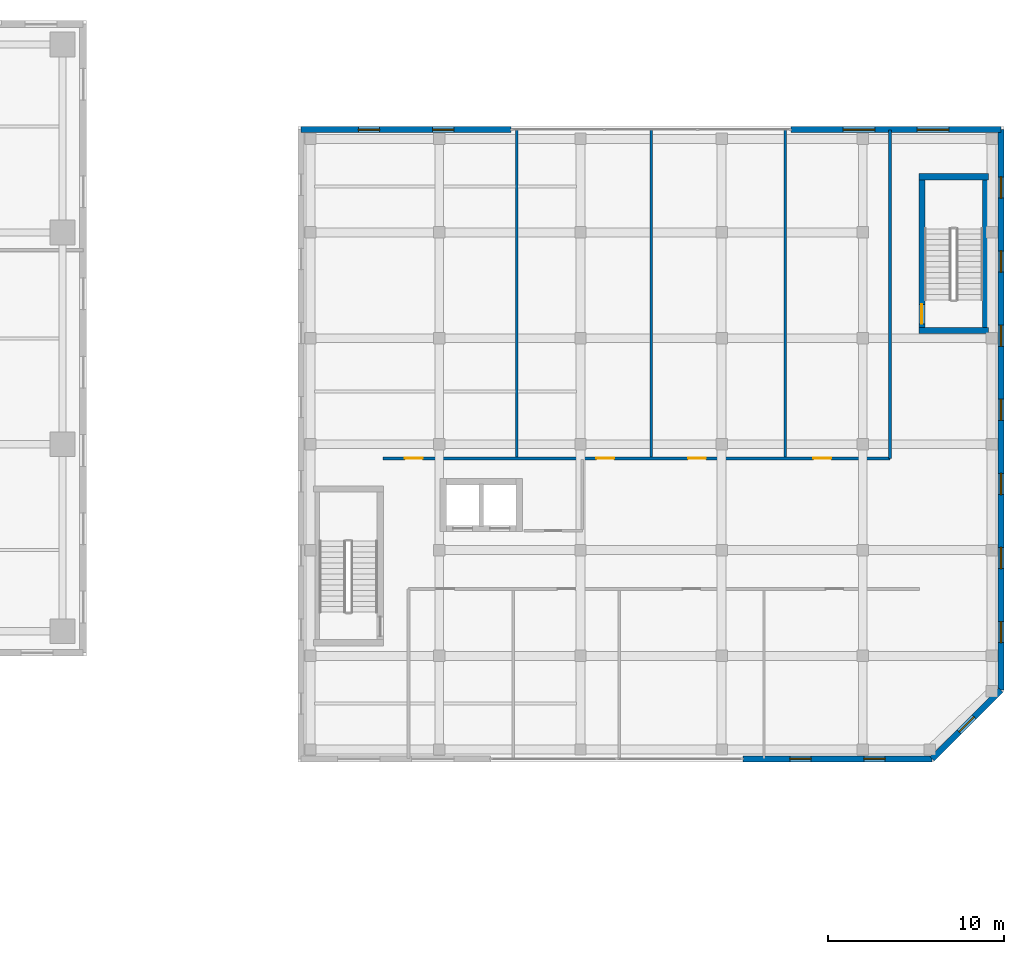
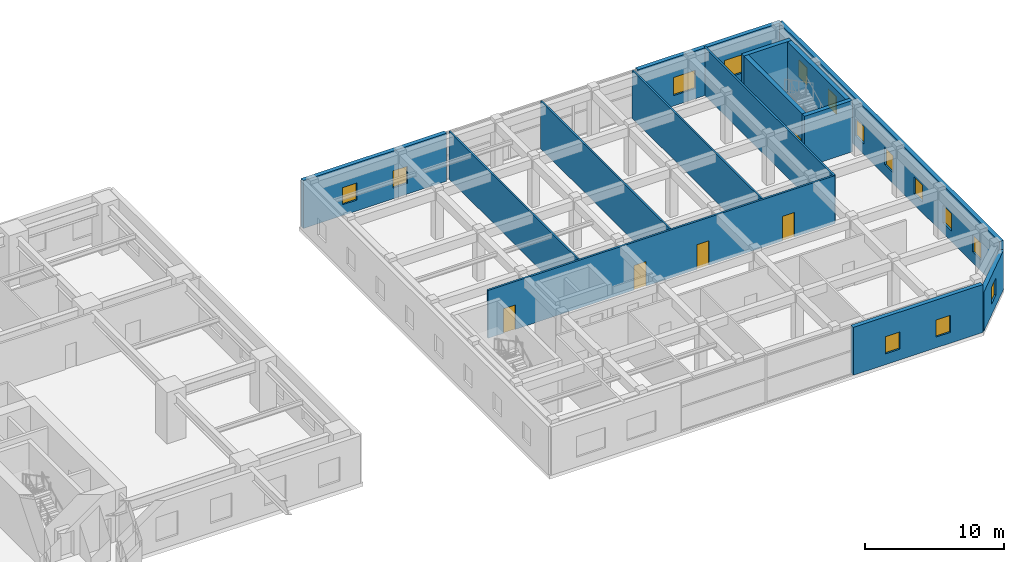
# One storey, part 22 of 26: 14 walls, 14 windows, 5 doors, 19 openings.
"""IFC4 building model written with IfcOpenShell, lengths in metres."""

from ifc_helpers import new_model, si_unit, direction, frame, frame_2d, origin, place, context, subcontext, project, spatial, rectangle, extrude, source, transform, mapped, material, layer, layer_set, type_object, element, fill, save


model = new_model("IFC4")

# Units and contexts
model_context = context("Model", 3, precision=1e-05, world=origin(), true_north=direction((0.0, 1.0)))
body_context = subcontext(model_context, "Body", "Model", "MODEL_VIEW")
ifc_project = project(units=[si_unit("LENGTHUNIT", "METRE"), si_unit("AREAUNIT", "SQUARE_METRE"), si_unit("VOLUMEUNIT", "CUBIC_METRE"), si_unit("PLANEANGLEUNIT", "RADIAN"), si_unit("MASSUNIT", "GRAM", prefix="KILO")], contexts=[model_context])

# Site, building, storey
site_placement = place(None, origin())
site = spatial("IfcSite", under=ifc_project, at=site_placement, CompositionType="ELEMENT")
building_placement = place(site_placement, origin())
building = spatial("IfcBuilding", under=site, at=building_placement, Name="Khoralis Quay Care Tower", CompositionType="ELEMENT")
storey_placement = place(building_placement, frame((0.0, 0.0, 4.5)))
storey = spatial("IfcBuildingStorey", under=building, at=storey_placement, Name="L01", CompositionType="ELEMENT", Elevation=4.5)

# Wall, openings, doors
ifc_material_1 = material(Name="Gypsum plasterboard on acoustic metal stud")
ifc_layer_1 = layer(ifc_material_1, 0.1650390625)
ifc_layer_set_1 = layer_set([ifc_layer_1], Name="Gypsum plasterboard on acoustic metal stud")
wall_type_1 = type_object("IfcWallType", Name="WL-CORR-165", PredefinedType="PARTITIONING", material=ifc_layer_set_1)
wall_1_placement = place(storey_placement, frame((72.800048828125, 23.199951171875, 0.0), z_axis=(0.0, 0.0, 1.0), x_axis=(1.0, 0.0, 0.0)))
wall_1 = element("IfcWall", 1, at=wall_1_placement, inside=storey, type_object=wall_type_1, Name="L01 School Corridor North Wall", PredefinedType="PARTITIONING", context=body_context, shape_type="SweptSolid", body=[
    extrude(rectangle(XDim=28.75, YDim=0.1650390625, at=frame_2d((14.375, 0.0))), origin(), (0.0, 0.0, 1.0), 4.199951171875),
])
opening_1_placement = place(wall_1_placement, frame((1.25, 0.0, 0.0)))
opening_1 = element("IfcOpeningElement", 2, at=opening_1_placement, cuts=wall_1, Name="Opening SCD1", PredefinedType="OPENING", context=body_context, shape_type="SweptSolid", body=[
    extrude(rectangle(XDim=1.0, YDim=2.14990234375, at=frame_2d((0.5, 1.074951171875))), frame((0.0, 0.092529296875, 0.0), z_axis=(0.0, -1.0, 0.0), x_axis=(1.0, 0.0, 0.0)), (0.0, 0.0, 1.0), 0.18505859375),
])
opening_2_placement = place(wall_1_placement, frame((12.10009765625, 0.0, 0.0)))
opening_2 = element("IfcOpeningElement", 3, at=opening_2_placement, cuts=wall_1, Name="Opening SCD1", PredefinedType="OPENING", context=body_context, shape_type="SweptSolid", body=[
    extrude(rectangle(XDim=1.0, YDim=2.14990234375, at=frame_2d((0.5, 1.074951171875))), frame((0.0, 0.092529296875, 0.0), z_axis=(0.0, -1.0, 0.0), x_axis=(1.0, 0.0, 0.0)), (0.0, 0.0, 1.0), 0.18505859375),
])
opening_3_placement = place(wall_1_placement, frame((17.300048828125, 0.0, 0.0)))
opening_3 = element("IfcOpeningElement", 4, at=opening_3_placement, cuts=wall_1, Name="Opening SCD1", PredefinedType="OPENING", context=body_context, shape_type="SweptSolid", body=[
    extrude(rectangle(XDim=1.0, YDim=2.14990234375, at=frame_2d((0.5, 1.074951171875))), frame((0.0, 0.092529296875, 0.0), z_axis=(0.0, -1.0, 0.0), x_axis=(1.0, 0.0, 0.0)), (0.0, 0.0, 1.0), 0.18505859375),
])
opening_4_placement = place(wall_1_placement, frame((24.39990234375, 0.0, 0.0)))
opening_4 = element("IfcOpeningElement", 5, at=opening_4_placement, cuts=wall_1, Name="Opening SCD1", PredefinedType="OPENING", context=body_context, shape_type="SweptSolid", body=[
    extrude(rectangle(XDim=1.0, YDim=2.14990234375, at=frame_2d((0.5, 1.074951171875))), frame((0.0, 0.092529296875, 0.0), z_axis=(0.0, -1.0, 0.0), x_axis=(1.0, 0.0, 0.0)), (0.0, 0.0, 1.0), 0.18505859375),
])
ifc_material_2 = material(Name="Acoustic hardwood timber", Category="wood")
door_type_1 = type_object("IfcDoorType", Name="DR-SCH-1000X2150", OperationType="NOTDEFINED", PredefinedType="DOOR", material=ifc_material_2)
shared_shape_1 = source(origin(), body_context, "Body", "SweptSolid", [
    extrude(rectangle(XDim=1.0, YDim=2.14990234375, at=frame_2d((0.5, 1.074951171875))), frame((0.0, 0.02490234375, 0.0), z_axis=(0.0, -1.0, 0.0), x_axis=(1.0, 0.0, 0.0)), (0.0, 0.0, 1.0), 0.050048828125),
])
door_1_placement = place(opening_1_placement, origin())
door_1 = element("IfcDoor", 6, at=door_1_placement, inside=storey, type_object=door_type_1, Name="L01 Secondary Classroom Door", OperationType="SINGLE_SWING_RIGHT", OverallHeight=2.14990234375, OverallWidth=1.0, PredefinedType="DOOR", context=body_context, shape_type="MappedRepresentation", body=[
    mapped(shared_shape_1, transform((0.0, 0.0, 0.0), scale=1.0)),
])
fill(opening_1, door_1)
door_2_placement = place(opening_2_placement, origin())
door_2 = element("IfcDoor", 7, at=door_2_placement, inside=storey, type_object=door_type_1, Name="L01 Faculty Preparation Office Door", OperationType="SINGLE_SWING_LEFT", OverallHeight=2.14990234375, OverallWidth=1.0, PredefinedType="DOOR", context=body_context, shape_type="MappedRepresentation", body=[
    mapped(shared_shape_1, transform((0.0, 0.0, 0.0), scale=1.0)),
])
fill(opening_2, door_2)
door_3_placement = place(opening_3_placement, origin())
door_3 = element("IfcDoor", 8, at=door_3_placement, inside=storey, type_object=door_type_1, Name="L01 Robotics Laboratory Door", OperationType="SINGLE_SWING_RIGHT", OverallHeight=2.14990234375, OverallWidth=1.0, PredefinedType="DOOR", context=body_context, shape_type="MappedRepresentation", body=[
    mapped(shared_shape_1, transform((0.0, 0.0, 0.0), scale=1.0)),
])
fill(opening_3, door_3)
door_4_placement = place(opening_4_placement, origin())
door_4 = element("IfcDoor", 9, at=door_4_placement, inside=storey, type_object=door_type_1, Name="L01 Academy Library Reading Room Door", OperationType="SINGLE_SWING_LEFT", OverallHeight=2.14990234375, OverallWidth=1.0, PredefinedType="DOOR", context=body_context, shape_type="MappedRepresentation", body=[
    mapped(shared_shape_1, transform((0.0, 0.0, 0.0), scale=1.0)),
])
fill(opening_4, door_4)

# Wall
wall_2_placement = place(storey_placement, frame((101.550048828125, 23.199951171875, 0.0), z_axis=(0.0, 0.0, 1.0), x_axis=(0.0, 1.0, 0.0)))
element("IfcWall", 10, at=wall_2_placement, inside=storey, type_object=wall_type_1, Name="L01 School East Stair Corridor Wall", PredefinedType="PARTITIONING", context=body_context, shape_type="SweptSolid", body=[
    extrude(rectangle(XDim=18.614990234375, YDim=0.1650390625, at=frame_2d((9.3076171875, 0.0))), origin(), (0.0, 0.0, 1.0), 4.199951171875),
])

# Wall, openings, windows
ifc_material_3 = material(Name="Precast concrete C40/50", Category="concrete")
ifc_layer_2 = layer(ifc_material_3, 0.340087890625)
ifc_layer_set_2 = layer_set([ifc_layer_2], Name="Precast concrete C40/50")
wall_type_2 = type_object("IfcWallType", Name="WL-EXT-SCH-340", PredefinedType="SOLIDWALL", material=ifc_layer_set_2)
wall_3_placement = place(storey_placement, frame((93.201904296875, 6.169921875, 0.0), z_axis=(0.0, 0.0, 1.0), x_axis=(1.0, 0.0, 0.0)))
wall_3 = element("IfcWall", 11, at=wall_3_placement, inside=storey, type_object=wall_type_2, Name="L01 External Facade Wall WL-SCH-L01-E0B", PredefinedType="SOLIDWALL", context=body_context, shape_type="SweptSolid", body=[
    extrude(rectangle(XDim=10.727783203125, YDim=0.340087890625, at=frame_2d((5.36376953125, 0.0))), origin(), (0.0, 0.0, 1.0), 4.199951171875),
])
opening_5_placement = place(wall_3_placement, frame((2.663818359375, 0.0, 0.949951171875)))
opening_5 = element("IfcOpeningElement", 12, at=opening_5_placement, cuts=wall_3, Name="Opening W6", PredefinedType="OPENING", context=body_context, shape_type="SweptSolid", body=[
    extrude(rectangle(XDim=1.199951171875, YDim=1.5, at=frame_2d((0.60009765625, 0.75))), frame((0.0, 0.18017578125, 0.0), z_axis=(0.0, -1.0, 0.0), x_axis=(1.0, 0.0, 0.0)), (0.0, 0.0, 1.0), 0.360107421875),
])
opening_6_placement = place(wall_3_placement, frame((6.86376953125, 0.0, 0.949951171875)))
opening_6 = element("IfcOpeningElement", 13, at=opening_6_placement, cuts=wall_3, Name="Opening W6", PredefinedType="OPENING", context=body_context, shape_type="SweptSolid", body=[
    extrude(rectangle(XDim=1.199951171875, YDim=1.5, at=frame_2d((0.60009765625, 0.75))), frame((0.0, 0.18017578125, 0.0), z_axis=(0.0, -1.0, 0.0), x_axis=(1.0, 0.0, 0.0)), (0.0, 0.0, 1.0), 0.360107421875),
])
ifc_material_4 = material(Name="Low-E solar-control double glazing", Category="glass")
window_type_1 = type_object("IfcWindowType", Name="WN-SCH-1200X1500", PartitioningType="SINGLE_PANEL", PredefinedType="WINDOW", material=ifc_material_4)
shared_shape_2 = source(origin(), body_context, "Body", "SweptSolid", [
    extrude(rectangle(XDim=1.199951171875, YDim=1.5, at=frame_2d((0.60009765625, 0.75))), frame((0.0, 0.030029296875, 0.0), z_axis=(0.0, -1.0, 0.0), x_axis=(1.0, 0.0, 0.0)), (0.0, 0.0, 1.0), 0.06005859375),
])
window_1_placement = place(opening_5_placement, origin())
window_1 = element("IfcWindow", 14, at=window_1_placement, inside=storey, type_object=window_type_1, Name="WN-SCH-L01-0B Classroom Window 01", OverallHeight=1.5, OverallWidth=1.199951171875, PartitioningType="SINGLE_PANEL", PredefinedType="WINDOW", context=body_context, shape_type="MappedRepresentation", body=[
    mapped(shared_shape_2, transform((0.0, 0.0, 0.0), scale=1.0)),
])
fill(opening_5, window_1)
window_2_placement = place(opening_6_placement, origin())
window_2 = element("IfcWindow", 15, at=window_2_placement, inside=storey, type_object=window_type_1, Name="WN-SCH-L01-0B Classroom Window 02", OverallHeight=1.5, OverallWidth=1.199951171875, PartitioningType="SINGLE_PANEL", PredefinedType="WINDOW", context=body_context, shape_type="MappedRepresentation", body=[
    mapped(shared_shape_2, transform((0.0, 0.0, 0.0), scale=1.0)),
])
fill(opening_6, window_2)

# Wall, opening, window
wall_4_placement = place(storey_placement, frame((103.9296875, 6.169921875, 0.0), z_axis=(0.0, 0.0, 1.0), x_axis=(0.707106781187, 0.707106781187, 0.0)))
wall_4 = element("IfcWall", 16, at=wall_4_placement, inside=storey, type_object=wall_type_2, Name="L01 External Facade Wall WL-SCH-L01-E1", PredefinedType="SOLIDWALL", context=body_context, shape_type="SweptSolid", body=[
    extrude(rectangle(XDim=5.515869140625, YDim=0.340087890625, at=frame_2d((2.7578125, 0.0))), origin(), (0.0, 0.0, 1.0), 3.449951171875),
])
opening_7_placement = place(wall_4_placement, frame((2.157958984375, 0.0, 0.949951171875)))
opening_7 = element("IfcOpeningElement", 17, at=opening_7_placement, cuts=wall_4, Name="Opening W6", PredefinedType="OPENING", context=body_context, shape_type="SweptSolid", body=[
    extrude(rectangle(XDim=1.199951171875, YDim=1.5, at=frame_2d((0.60009765625, 0.75))), frame((0.0, 0.18017578125, 0.0), z_axis=(0.0, -1.0, 0.0), x_axis=(1.0, 0.0, 0.0)), (0.0, 0.0, 1.0), 0.360107421875),
])
window_3_placement = place(opening_7_placement, origin())
window_3 = element("IfcWindow", 18, at=window_3_placement, inside=storey, type_object=window_type_1, Name="WN-SCH-L01-E1 Classroom Window 01", OverallHeight=1.5, OverallWidth=1.199951171875, PartitioningType="SINGLE_PANEL", PredefinedType="WINDOW", context=body_context, shape_type="MappedRepresentation", body=[
    mapped(shared_shape_2, transform((0.0, 0.0, 0.0), scale=1.0)),
])
fill(opening_7, window_3)

# Wall, openings, windows
wall_5_placement = place(storey_placement, frame((107.830078125, 10.0703125, 0.0), z_axis=(0.0, 0.0, 1.0), x_axis=(0.0, 1.0, 0.0)))
wall_5 = element("IfcWall", 19, at=wall_5_placement, inside=storey, type_object=wall_type_2, Name="L01 External Facade Wall WL-SCH-L01-E2", PredefinedType="SOLIDWALL", context=body_context, shape_type="SweptSolid", body=[
    extrude(rectangle(XDim=31.759765625, YDim=0.340087890625, at=frame_2d((15.8798828125, 0.0))), origin(), (0.0, 0.0, 1.0), 4.199951171875),
])
opening_8_placement = place(wall_5_placement, frame((2.6796875, 0.0, 0.949951171875)))
opening_8 = element("IfcOpeningElement", 20, at=opening_8_placement, cuts=wall_5, Name="Opening W6", PredefinedType="OPENING", context=body_context, shape_type="SweptSolid", body=[
    extrude(rectangle(XDim=1.199951171875, YDim=1.5, at=frame_2d((0.60009765625, 0.75))), frame((0.0, 0.18017578125, 0.0), z_axis=(0.0, -1.0, 0.0), x_axis=(1.0, 0.0, 0.0)), (0.0, 0.0, 1.0), 0.360107421875),
])
opening_9_placement = place(wall_5_placement, frame((6.8798828125, 0.0, 0.949951171875)))
opening_9 = element("IfcOpeningElement", 21, at=opening_9_placement, cuts=wall_5, Name="Opening W6", PredefinedType="OPENING", context=body_context, shape_type="SweptSolid", body=[
    extrude(rectangle(XDim=1.199951171875, YDim=1.5, at=frame_2d((0.60009765625, 0.75))), frame((0.0, 0.18017578125, 0.0), z_axis=(0.0, -1.0, 0.0), x_axis=(1.0, 0.0, 0.0)), (0.0, 0.0, 1.0), 0.360107421875),
])
opening_10_placement = place(wall_5_placement, frame((11.079833984375, 0.0, 0.949951171875)))
opening_10 = element("IfcOpeningElement", 22, at=opening_10_placement, cuts=wall_5, Name="Opening W6", PredefinedType="OPENING", context=body_context, shape_type="SweptSolid", body=[
    extrude(rectangle(XDim=1.199951171875, YDim=1.5, at=frame_2d((0.60009765625, 0.75))), frame((0.0, 0.18017578125, 0.0), z_axis=(0.0, -1.0, 0.0), x_axis=(1.0, 0.0, 0.0)), (0.0, 0.0, 1.0), 0.360107421875),
])
opening_11_placement = place(wall_5_placement, frame((15.27978515625, 0.0, 0.949951171875)))
opening_11 = element("IfcOpeningElement", 23, at=opening_11_placement, cuts=wall_5, Name="Opening W6", PredefinedType="OPENING", context=body_context, shape_type="SweptSolid", body=[
    extrude(rectangle(XDim=1.199951171875, YDim=1.5, at=frame_2d((0.60009765625, 0.75))), frame((0.0, 0.18017578125, 0.0), z_axis=(0.0, -1.0, 0.0), x_axis=(1.0, 0.0, 0.0)), (0.0, 0.0, 1.0), 0.360107421875),
])
opening_12_placement = place(wall_5_placement, frame((19.479736328125, 0.0, 0.949951171875)))
opening_12 = element("IfcOpeningElement", 24, at=opening_12_placement, cuts=wall_5, Name="Opening W6", PredefinedType="OPENING", context=body_context, shape_type="SweptSolid", body=[
    extrude(rectangle(XDim=1.199951171875, YDim=1.5, at=frame_2d((0.60009765625, 0.75))), frame((0.0, 0.18017578125, 0.0), z_axis=(0.0, -1.0, 0.0), x_axis=(1.0, 0.0, 0.0)), (0.0, 0.0, 1.0), 0.360107421875),
])
opening_13_placement = place(wall_5_placement, frame((23.6796875, 0.0, 0.949951171875)))
opening_13 = element("IfcOpeningElement", 25, at=opening_13_placement, cuts=wall_5, Name="Opening W6", PredefinedType="OPENING", context=body_context, shape_type="SweptSolid", body=[
    extrude(rectangle(XDim=1.199951171875, YDim=1.5, at=frame_2d((0.60009765625, 0.75))), frame((0.0, 0.18017578125, 0.0), z_axis=(0.0, -1.0, 0.0), x_axis=(1.0, 0.0, 0.0)), (0.0, 0.0, 1.0), 0.360107421875),
])
opening_14_placement = place(wall_5_placement, frame((27.8798828125, 0.0, 0.949951171875)))
opening_14 = element("IfcOpeningElement", 26, at=opening_14_placement, cuts=wall_5, Name="Opening W6", PredefinedType="OPENING", context=body_context, shape_type="SweptSolid", body=[
    extrude(rectangle(XDim=1.199951171875, YDim=1.5, at=frame_2d((0.60009765625, 0.75))), frame((0.0, 0.18017578125, 0.0), z_axis=(0.0, -1.0, 0.0), x_axis=(1.0, 0.0, 0.0)), (0.0, 0.0, 1.0), 0.360107421875),
])
window_4_placement = place(opening_8_placement, origin())
window_4 = element("IfcWindow", 27, at=window_4_placement, inside=storey, type_object=window_type_1, Name="WN-SCH-L01-E2 Classroom Window 01", OverallHeight=1.5, OverallWidth=1.199951171875, PartitioningType="SINGLE_PANEL", PredefinedType="WINDOW", context=body_context, shape_type="MappedRepresentation", body=[
    mapped(shared_shape_2, transform((0.0, 0.0, 0.0), scale=1.0)),
])
fill(opening_8, window_4)
window_5_placement = place(opening_9_placement, origin())
window_5 = element("IfcWindow", 28, at=window_5_placement, inside=storey, type_object=window_type_1, Name="WN-SCH-L01-E2 Classroom Window 02", OverallHeight=1.5, OverallWidth=1.199951171875, PartitioningType="SINGLE_PANEL", PredefinedType="WINDOW", context=body_context, shape_type="MappedRepresentation", body=[
    mapped(shared_shape_2, transform((0.0, 0.0, 0.0), scale=1.0)),
])
fill(opening_9, window_5)
window_6_placement = place(opening_10_placement, origin())
window_6 = element("IfcWindow", 29, at=window_6_placement, inside=storey, type_object=window_type_1, Name="WN-SCH-L01-E2 Classroom Window 03", OverallHeight=1.5, OverallWidth=1.199951171875, PartitioningType="SINGLE_PANEL", PredefinedType="WINDOW", context=body_context, shape_type="MappedRepresentation", body=[
    mapped(shared_shape_2, transform((0.0, 0.0, 0.0), scale=1.0)),
])
fill(opening_10, window_6)
window_7_placement = place(opening_11_placement, origin())
window_7 = element("IfcWindow", 30, at=window_7_placement, inside=storey, type_object=window_type_1, Name="WN-SCH-L01-E2 Classroom Window 04", OverallHeight=1.5, OverallWidth=1.199951171875, PartitioningType="SINGLE_PANEL", PredefinedType="WINDOW", context=body_context, shape_type="MappedRepresentation", body=[
    mapped(shared_shape_2, transform((0.0, 0.0, 0.0), scale=1.0)),
])
fill(opening_11, window_7)
window_8_placement = place(opening_12_placement, origin())
window_8 = element("IfcWindow", 31, at=window_8_placement, inside=storey, type_object=window_type_1, Name="WN-SCH-L01-E2 Classroom Window 05", OverallHeight=1.5, OverallWidth=1.199951171875, PartitioningType="SINGLE_PANEL", PredefinedType="WINDOW", context=body_context, shape_type="MappedRepresentation", body=[
    mapped(shared_shape_2, transform((0.0, 0.0, 0.0), scale=1.0)),
])
fill(opening_12, window_8)
window_9_placement = place(opening_13_placement, origin())
window_9 = element("IfcWindow", 32, at=window_9_placement, inside=storey, type_object=window_type_1, Name="WN-SCH-L01-E2 Classroom Window 06", OverallHeight=1.5, OverallWidth=1.199951171875, PartitioningType="SINGLE_PANEL", PredefinedType="WINDOW", context=body_context, shape_type="MappedRepresentation", body=[
    mapped(shared_shape_2, transform((0.0, 0.0, 0.0), scale=1.0)),
])
fill(opening_13, window_9)
window_10_placement = place(opening_14_placement, origin())
window_10 = element("IfcWindow", 33, at=window_10_placement, inside=storey, type_object=window_type_1, Name="WN-SCH-L01-E2 Classroom Window 07", OverallHeight=1.5, OverallWidth=1.199951171875, PartitioningType="SINGLE_PANEL", PredefinedType="WINDOW", context=body_context, shape_type="MappedRepresentation", body=[
    mapped(shared_shape_2, transform((0.0, 0.0, 0.0), scale=1.0)),
])
fill(opening_14, window_10)

wall_6_placement = place(storey_placement, frame((107.830078125, 41.830078125, 0.0), z_axis=(0.0, 0.0, 1.0), x_axis=(-1.0, 0.0, 0.0)))
wall_6 = element("IfcWall", 34, at=wall_6_placement, inside=storey, type_object=wall_type_2, Name="L01 External Facade Wall WL-SCH-L01-E3A", PredefinedType="SOLIDWALL", context=body_context, shape_type="SweptSolid", body=[
    extrude(rectangle(XDim=11.898193359375, YDim=0.340087890625, at=frame_2d((5.94921875, 0.0))), origin(), (0.0, 0.0, 1.0), 4.199951171875),
])
opening_15_placement = place(wall_6_placement, frame((2.948974609375, 0.0, 0.89990234375)))
opening_15 = element("IfcOpeningElement", 35, at=opening_15_placement, cuts=wall_6, Name="Opening W5", PredefinedType="OPENING", context=body_context, shape_type="SweptSolid", body=[
    extrude(rectangle(XDim=1.800048828125, YDim=1.60009765625, at=frame_2d((0.89990234375, 0.800048828125))), frame((0.0, 0.18017578125, 0.0), z_axis=(0.0, -1.0, 0.0), x_axis=(1.0, 0.0, 0.0)), (0.0, 0.0, 1.0), 0.360107421875),
])
opening_16_placement = place(wall_6_placement, frame((7.14892578125, 0.0, 0.89990234375)))
opening_16 = element("IfcOpeningElement", 36, at=opening_16_placement, cuts=wall_6, Name="Opening W5", PredefinedType="OPENING", context=body_context, shape_type="SweptSolid", body=[
    extrude(rectangle(XDim=1.800048828125, YDim=1.60009765625, at=frame_2d((0.89990234375, 0.800048828125))), frame((0.0, 0.18017578125, 0.0), z_axis=(0.0, -1.0, 0.0), x_axis=(1.0, 0.0, 0.0)), (0.0, 0.0, 1.0), 0.360107421875),
])
window_type_2 = type_object("IfcWindowType", Name="WN-SCH-1800X1600", PartitioningType="SINGLE_PANEL", PredefinedType="WINDOW", material=ifc_material_4)
shared_shape_3 = source(origin(), body_context, "Body", "SweptSolid", [
    extrude(rectangle(XDim=1.800048828125, YDim=1.60009765625, at=frame_2d((0.89990234375, 0.800048828125))), frame((0.0, 0.030029296875, 0.0), z_axis=(0.0, -1.0, 0.0), x_axis=(1.0, 0.0, 0.0)), (0.0, 0.0, 1.0), 0.06005859375),
])
window_11_placement = place(opening_15_placement, origin())
window_11 = element("IfcWindow", 37, at=window_11_placement, inside=storey, type_object=window_type_2, Name="WN-SCH-L01-3A Classroom Window 01", OverallHeight=1.60009765625, OverallWidth=1.800048828125, PartitioningType="SINGLE_PANEL", PredefinedType="WINDOW", context=body_context, shape_type="MappedRepresentation", body=[
    mapped(shared_shape_3, transform((0.0, 0.0, 0.0), scale=1.0)),
])
fill(opening_15, window_11)
window_12_placement = place(opening_16_placement, origin())
window_12 = element("IfcWindow", 38, at=window_12_placement, inside=storey, type_object=window_type_2, Name="WN-SCH-L01-3A Classroom Window 02", OverallHeight=1.60009765625, OverallWidth=1.800048828125, PartitioningType="SINGLE_PANEL", PredefinedType="WINDOW", context=body_context, shape_type="MappedRepresentation", body=[
    mapped(shared_shape_3, transform((0.0, 0.0, 0.0), scale=1.0)),
])
fill(opening_16, window_12)

wall_7_placement = place(storey_placement, frame((80.068115234375, 41.830078125, 0.0), z_axis=(0.0, 0.0, 1.0), x_axis=(-1.0, 0.0, 0.0)))
wall_7 = element("IfcWall", 39, at=wall_7_placement, inside=storey, type_object=wall_type_2, Name="L01 External Facade Wall WL-SCH-L01-E3B", PredefinedType="SOLIDWALL", context=body_context, shape_type="SweptSolid", body=[
    extrude(rectangle(XDim=11.898193359375, YDim=0.340087890625, at=frame_2d((5.94921875, 0.0))), origin(), (0.0, 0.0, 1.0), 4.199951171875),
])
opening_17_placement = place(wall_7_placement, frame((3.2490234375, 0.0, 0.949951171875)))
opening_17 = element("IfcOpeningElement", 40, at=opening_17_placement, cuts=wall_7, Name="Opening W6", PredefinedType="OPENING", context=body_context, shape_type="SweptSolid", body=[
    extrude(rectangle(XDim=1.199951171875, YDim=1.5, at=frame_2d((0.60009765625, 0.75))), frame((0.0, 0.18017578125, 0.0), z_axis=(0.0, -1.0, 0.0), x_axis=(1.0, 0.0, 0.0)), (0.0, 0.0, 1.0), 0.360107421875),
])
opening_18_placement = place(wall_7_placement, frame((7.448974609375, 0.0, 0.949951171875)))
opening_18 = element("IfcOpeningElement", 41, at=opening_18_placement, cuts=wall_7, Name="Opening W6", PredefinedType="OPENING", context=body_context, shape_type="SweptSolid", body=[
    extrude(rectangle(XDim=1.199951171875, YDim=1.5, at=frame_2d((0.60009765625, 0.75))), frame((0.0, 0.18017578125, 0.0), z_axis=(0.0, -1.0, 0.0), x_axis=(1.0, 0.0, 0.0)), (0.0, 0.0, 1.0), 0.360107421875),
])
window_13_placement = place(opening_17_placement, origin())
window_13 = element("IfcWindow", 42, at=window_13_placement, inside=storey, type_object=window_type_1, Name="WN-SCH-L01-3B Classroom Window 01", OverallHeight=1.5, OverallWidth=1.199951171875, PartitioningType="SINGLE_PANEL", PredefinedType="WINDOW", context=body_context, shape_type="MappedRepresentation", body=[
    mapped(shared_shape_2, transform((0.0, 0.0, 0.0), scale=1.0)),
])
fill(opening_17, window_13)
window_14_placement = place(opening_18_placement, origin())
window_14 = element("IfcWindow", 43, at=window_14_placement, inside=storey, type_object=window_type_1, Name="WN-SCH-L01-3B Classroom Window 02", OverallHeight=1.5, OverallWidth=1.199951171875, PartitioningType="SINGLE_PANEL", PredefinedType="WINDOW", context=body_context, shape_type="MappedRepresentation", body=[
    mapped(shared_shape_2, transform((0.0, 0.0, 0.0), scale=1.0)),
])
fill(opening_18, window_14)

# Wall, opening, door
ifc_material_5 = material(Name="Concrete C40/50", Category="concrete")
ifc_layer_3 = layer(ifc_material_5, 0.35009765625)
ifc_layer_set_3 = layer_set([ifc_layer_3], Name="Concrete C40/50")
wall_type_3 = type_object("IfcWallType", Name="WL-SC-CORE-350", PredefinedType="SHEAR", material=ifc_layer_set_3)
wall_8_placement = place(storey_placement, frame((103.344970703125, 30.27001953125, 0.0), z_axis=(0.0, 0.0, 1.0), x_axis=(0.0, 1.0, 0.0)))
wall_8 = element("IfcWall", 44, at=wall_8_placement, inside=storey, type_object=wall_type_3, Name="L01 School Stair ST-S2 West Shear Wall", PredefinedType="SHEAR", context=body_context, shape_type="SweptSolid", body=[
    extrude(rectangle(XDim=9.06005859375, YDim=0.35009765625, at=frame_2d((4.530029296875, 0.0))), origin(), (0.0, 0.0, 1.0), 4.5),
])
opening_19_placement = place(wall_8_placement, frame((0.550048828125, 0.0, 0.0)))
opening_19 = element("IfcOpeningElement", 45, at=opening_19_placement, cuts=wall_8, Name="Opening SD1", PredefinedType="OPENING", context=body_context, shape_type="SweptSolid", body=[
    extrude(rectangle(XDim=1.10009765625, YDim=2.199951171875, at=frame_2d((0.550048828125, 1.10009765625))), frame((0.0, 0.18505859375, 0.0), z_axis=(0.0, -1.0, 0.0), x_axis=(1.0, 0.0, 0.0)), (0.0, 0.0, 1.0), 0.3701171875),
])
ifc_material_6 = material(Name="Fire-rated painted steel", Category="steel")
door_type_2 = type_object("IfcDoorType", Name="DR-STAIR-1100X2200", OperationType="NOTDEFINED", PredefinedType="DOOR", material=ifc_material_6)
shared_shape_4 = source(origin(), body_context, "Body", "SweptSolid", [
    extrude(rectangle(XDim=1.10009765625, YDim=2.199951171875, at=frame_2d((0.550048828125, 1.10009765625))), frame((0.0, 0.02490234375, 0.0), z_axis=(0.0, -1.0, 0.0), x_axis=(1.0, 0.0, 0.0)), (0.0, 0.0, 1.0), 0.050048828125),
])
door_5_placement = place(opening_19_placement, frame((1.10009765625, 0.0, 0.0), z_axis=(0.0, 0.0, 1.0), x_axis=(-1.0, 0.0, 0.0)))
door_5 = element("IfcDoor", 46, at=door_5_placement, inside=storey, type_object=door_type_2, Name="L01 School Stair ST-S2 Door", OperationType="SINGLE_SWING_RIGHT", OverallHeight=2.199951171875, OverallWidth=1.10009765625, PredefinedType="DOOR", context=body_context, shape_type="MappedRepresentation", body=[
    mapped(shared_shape_4, transform((0.0, 0.0, 0.0), scale=1.0)),
])
fill(opening_19, door_5)

# Walls
for number, where, z_axis, x_axis, name in (
    (47, (103.169921875, 30.445068359375, 0.0), (0.0, 0.0, 1.0), (1.0, 0.0, 0.0), "L01 School Stair ST-S2 South Shear Wall"),
    (48, (103.169921875, 39.155029296875, 0.0), (0.0, 0.0, 1.0), (1.0, 0.0, 0.0), "L01 School Stair ST-S2 North Shear Wall"),
):
    element("IfcWall", number, at=place(storey_placement, frame(where, z_axis=z_axis, x_axis=x_axis)), inside=storey, type_object=wall_type_3, Name=name, PredefinedType="SHEAR", context=body_context, shape_type="SweptSolid", body=[
        extrude(rectangle(XDim=3.9599609375, YDim=0.35009765625, at=frame_2d((1.97998046875, 0.0))), origin(), (0.0, 0.0, 1.0), 4.5),
    ])
wall_9_placement = place(storey_placement, frame((106.955078125, 30.27001953125, 0.0), z_axis=(0.0, 0.0, 1.0), x_axis=(0.0, 1.0, 0.0)))
element("IfcWall", 49, at=wall_9_placement, inside=storey, type_object=wall_type_3, Name="L01 School Stair ST-S2 East Shear Wall", PredefinedType="SHEAR", context=body_context, shape_type="SweptSolid", body=[
    extrude(rectangle(XDim=9.06005859375, YDim=0.35009765625, at=frame_2d((4.530029296875, 0.0))), origin(), (0.0, 0.0, 1.0), 4.5),
])
ifc_layer_4 = layer(ifc_material_1, 0.139892578125)
ifc_layer_set_4 = layer_set([ifc_layer_4], Name="Gypsum plasterboard on acoustic metal stud")
wall_type_4 = type_object("IfcWallType", Name="WL-UNIT-140", PredefinedType="PARTITIONING", material=ifc_layer_set_4)
for number, where, z_axis, x_axis, name in (
    (50, (80.39990234375, 23.277587890625, 0.0), (0.0, 0.0, 1.0), (0.0, 1.0, 0.0), "L01 School North Classroom Wall 1"),
    (51, (88.0, 23.277587890625, 0.0), (0.0, 0.0, 1.0), (0.0, 1.0, 0.0), "L01 School North Classroom Wall 2"),
    (52, (95.60009765625, 23.277587890625, 0.0), (0.0, 0.0, 1.0), (0.0, 1.0, 0.0), "L01 School North Classroom Wall 3"),
):
    element("IfcWall", number, at=place(storey_placement, frame(where, z_axis=z_axis, x_axis=x_axis)), inside=storey, type_object=wall_type_4, Name=name, PredefinedType="PARTITIONING", context=body_context, shape_type="SweptSolid", body=[
        extrude(rectangle(XDim=18.537353515625, YDim=0.139892578125, at=frame_2d((9.2685546875, 0.0))), origin(), (0.0, 0.0, 1.0), 4.199951171875),
    ])

save(model, "model.ifc")
